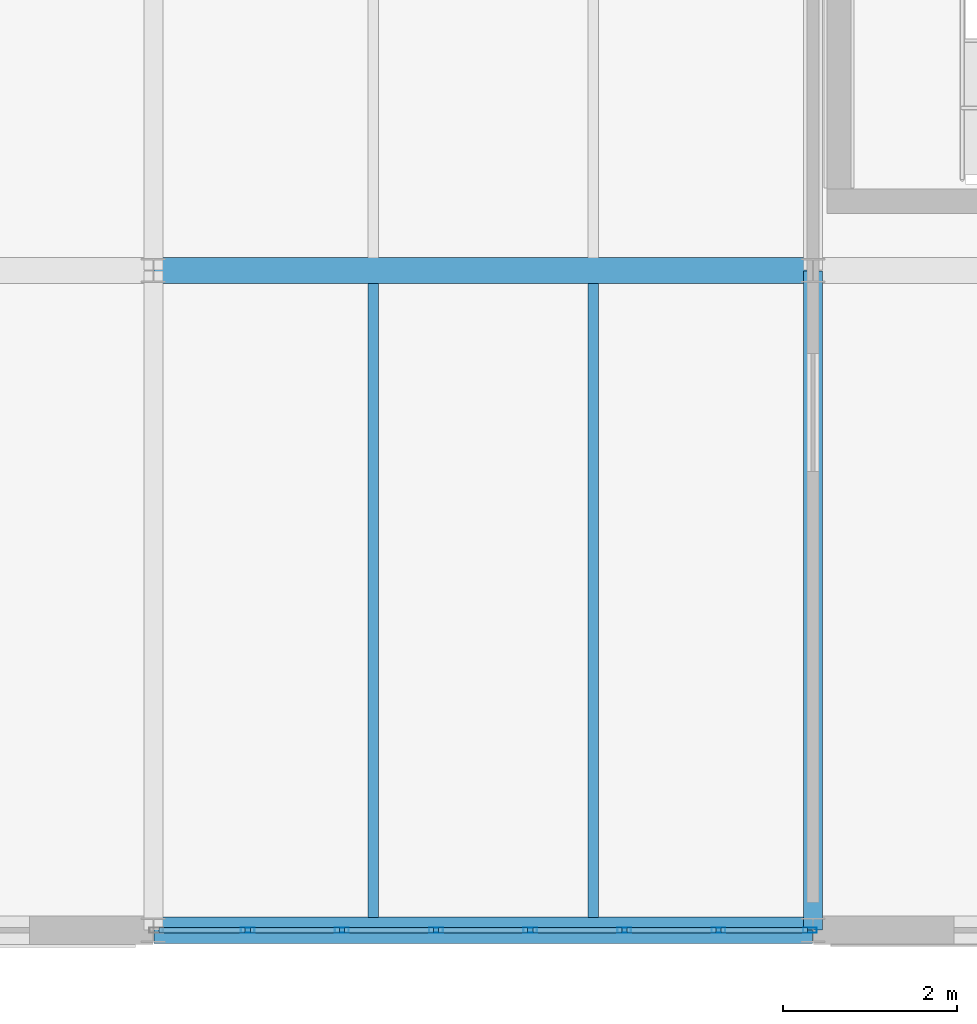
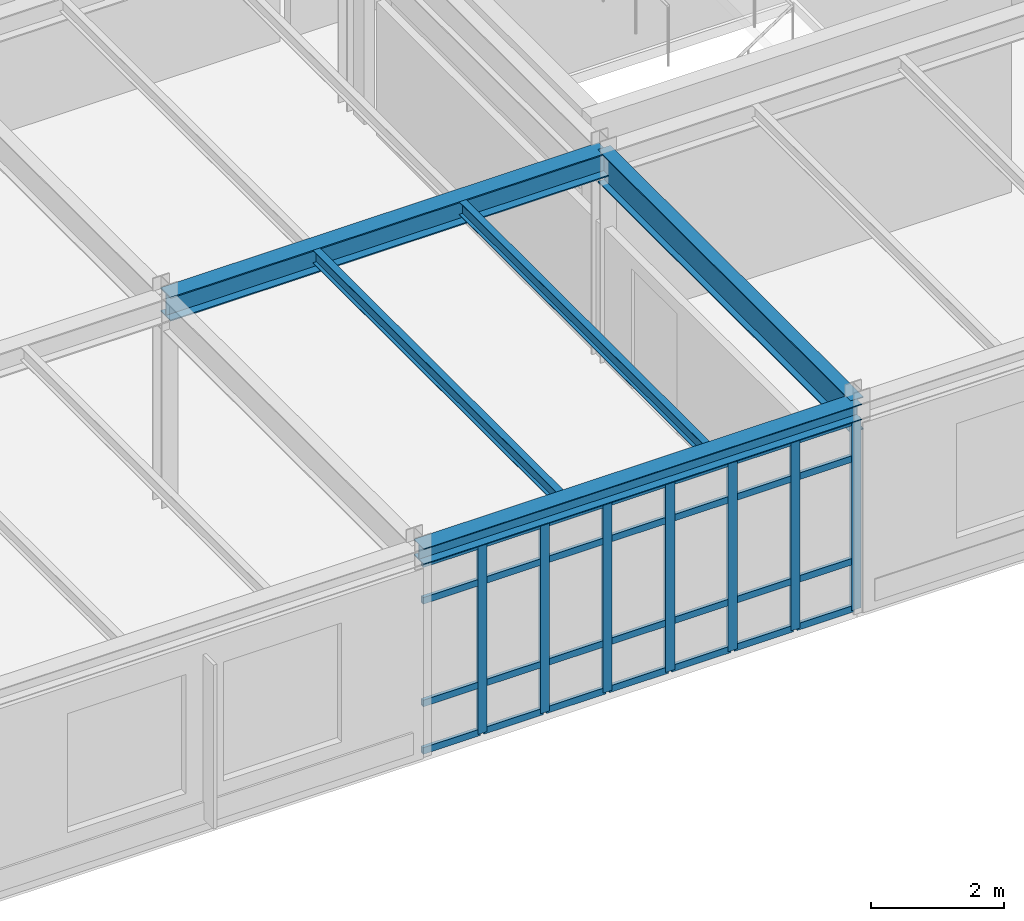
# One storey, part 28 of 165: 35 members, 5 beams, 1 element without a shape of its own.
"""IFC4 building model written with IfcOpenShell, lengths in metres."""

from ifc_helpers import new_model, si_unit, direction, frame, origin, origin_2d, place, context, subcontext, project, spatial, hollow_rectangle, i_section, extrude, material, layer, layer_set, material_profile, profile_set, type_object, element, aggregate, save


model = new_model("IFC4")

# Units and contexts
model_context = context("Model", 3, precision=1e-05, world=origin(), true_north=direction((0.0, 1.0)))
body_context = subcontext(model_context, "Body", "Model", "MODEL_VIEW")
ifc_project = project(units=[si_unit("LENGTHUNIT", "METRE"), si_unit("AREAUNIT", "SQUARE_METRE"), si_unit("VOLUMEUNIT", "CUBIC_METRE"), si_unit("PLANEANGLEUNIT", "RADIAN"), si_unit("MASSUNIT", "GRAM", prefix="KILO")], contexts=[model_context])

# Site, building, storey
site_placement = place(None, origin())
site = spatial("IfcSite", under=ifc_project, at=site_placement, CompositionType="ELEMENT")
building_placement = place(site_placement, origin())
building = spatial("IfcBuilding", under=site, at=building_placement, Name="Montecoro Central Library", CompositionType="ELEMENT")
storey_placement = place(building_placement, frame((0.0, 0.0, 5.10009765625)))
storey = spatial("IfcBuildingStorey", under=building, at=storey_placement, Name="L01", CompositionType="ELEMENT", Elevation=5.10009765625)

# Beams
ifc_material_1 = material(Name="Steel S355J2", Category="steel")
ifc_material_profile_1 = material_profile(ifc_material_1, i_section(OverallWidth=0.300048828125, OverallDepth=0.43994140625, WebThickness=0.011474609375, FlangeThickness=0.02099609375, at=origin_2d()), Name="HEA 450")
ifc_profile_set_1 = profile_set([ifc_material_profile_1], Name="Steel S355J2")
beam_type_1 = type_object("IfcBeamType", Name="BM-G-HEA450", PredefinedType="USERDEFINED", material=ifc_profile_set_1)
beam_1_placement = place(storey_placement, frame((20.205078125, 12.60009765625, 3.60498046875), z_axis=(1.0, 0.0, 0.0), x_axis=(0.0, 1.0, 0.0)))
element("IfcBeam", 1, at=beam_1_placement, inside=storey, type_object=beam_type_1, Name="V3-L01-BX-34-B", ObjectType="GIRDER", PredefinedType="USERDEFINED", context=body_context, shape_type="SweptSolid", body=[
    extrude(i_section(OverallWidth=0.300048828125, OverallDepth=0.43994140625, WebThickness=0.011474609375, FlangeThickness=0.02099609375, at=origin_2d()), origin(), (0.0, 0.0, 1.0), 7.58984375),
])
ifc_material_profile_2 = material_profile(ifc_material_1, i_section(OverallWidth=0.219970703125, OverallDepth=0.60009765625, WebThickness=0.011962890625, FlangeThickness=0.01904296875, at=origin_2d()), Name="IPE 600")
ifc_profile_set_2 = profile_set([ifc_material_profile_2], Name="Steel S355J2")
beam_type_2 = type_object("IfcBeamType", Name="BM-G-IPE600", PredefinedType="USERDEFINED", material=ifc_profile_set_2)
beam_2_placement = place(storey_placement, frame((27.800048828125, 5.0048828125, 3.52490234375), z_axis=(0.0, 1.0, 0.0), x_axis=(-1.0, 0.0, 0.0)))
element("IfcBeam", 2, at=beam_2_placement, inside=storey, type_object=beam_type_2, Name="V3-L01-BY-4-AB", ObjectType="GIRDER", PredefinedType="USERDEFINED", context=body_context, shape_type="SweptSolid", body=[
    extrude(i_section(OverallWidth=0.219970703125, OverallDepth=0.60009765625, WebThickness=0.011962890625, FlangeThickness=0.01904296875, at=origin_2d()), origin(), (0.0, 0.0, 1.0), 7.590087890625),
])
ifc_material_2 = material(Name="Steel S355", Category="steel")
ifc_material_profile_3 = material_profile(ifc_material_2, i_section(OverallWidth=0.1201171875, OverallDepth=0.239990234375, WebThickness=0.006103515625, FlangeThickness=0.009765625, at=origin_2d()), Name="IPE 240")
ifc_profile_set_3 = profile_set([ifc_material_profile_3], Name="Steel S355")
beam_type_3 = type_object("IfcBeamType", Name="BM-J-IPE240", PredefinedType="JOIST", material=ifc_profile_set_3)
for number, where, z_axis, x_axis, name in (
    (3, (22.73291015625, 5.14697265625, 3.704833984375), (0.0, 1.0, 0.0), (-1.0, 0.0, 0.0), "V3-L01-JS-34-AB-1"),
    (4, (25.26708984375, 5.14697265625, 3.704833984375), (0.0, 1.0, 0.0), (-1.0, 0.0, 0.0), "V3-L01-JS-34-AB-2"),
):
    element("IfcBeam", number, at=place(storey_placement, frame(where, z_axis=z_axis, x_axis=x_axis)), inside=storey, type_object=beam_type_3, Name=name, PredefinedType="JOIST", context=body_context, shape_type="SweptSolid", body=[
        extrude(i_section(OverallWidth=0.1201171875, OverallDepth=0.239990234375, WebThickness=0.006103515625, FlangeThickness=0.009765625, at=origin_2d()), origin(), (0.0, 0.0, 1.0), 7.305908203125),
    ])
ifc_material_profile_4 = material_profile(ifc_material_2, i_section(OverallWidth=0.300048828125, OverallDepth=0.2900390625, WebThickness=0.008544921875, FlangeThickness=0.013916015625, at=origin_2d()), Name="HEA 300")
ifc_profile_set_4 = profile_set([ifc_material_profile_4], Name="Steel S355")
beam_type_4 = type_object("IfcBeamType", Name="BM-SP-HEA300", PredefinedType="SPANDREL", material=ifc_profile_set_4)
beam_3_placement = place(storey_placement, frame((20.205078125, 5.0, 3.679931640625), z_axis=(1.0, 0.0, 0.0), x_axis=(0.0, 1.0, 0.0)))
element("IfcBeam", 5, at=beam_3_placement, inside=storey, type_object=beam_type_4, Name="V3-L01-BX-34-A", PredefinedType="SPANDREL", context=body_context, shape_type="SweptSolid", body=[
    extrude(i_section(OverallWidth=0.300048828125, OverallDepth=0.2900390625, WebThickness=0.008544921875, FlangeThickness=0.013916015625, at=origin_2d()), origin(), (0.0, 0.0, 1.0), 7.58984375),
])

# Curtain wall, members
ifc_material_3 = material(Name="Bronze-anodised aluminium and low-E glazing", Category="aluminium")
ifc_layer = layer(ifc_material_3, 0.159912109375)
ifc_layer_set = layer_set([ifc_layer], Name="Bronze-anodised aluminium and low-E glazing")
curtain_wall_type = type_object("IfcCurtainWallType", Name="CWT-029", PredefinedType="NOTDEFINED", material=ifc_layer_set)
curtain_wall_placement = place(storey_placement, origin())
curtain_wall = element("IfcCurtainWall", 6, at=curtain_wall_placement, inside=storey, type_object=curtain_wall_type, Name="V3-L01-CW-S2", PredefinedType="NOTDEFINED")
ifc_material_4 = material(Name="Bronze-anodised aluminium", Category="aluminium")
ifc_material_profile_5 = material_profile(ifc_material_4, hollow_rectangle(XDim=0.06005859375, YDim=0.159912109375, WallThickness=0.00390625, at=origin_2d()), Name="CWM 160x60x4.0")
ifc_profile_set_5 = profile_set([ifc_material_profile_5], Name="Bronze-anodised aluminium")
member_type_1 = type_object("IfcMemberType", Name="CWM-BRZ-60", PredefinedType="MULLION", material=ifc_profile_set_5)
member_1_placement = place(storey_placement, frame((21.28857421875, 5.0, 0.0), z_axis=(0.0, 0.0, 1.0), x_axis=(0.0, 1.0, 0.0)))
member_1 = element("IfcMember", 7, at=member_1_placement, type_object=member_type_1, Name="CW-029 mullion 2", PredefinedType="MULLION", context=body_context, shape_type="SweptSolid", body=[
    extrude(hollow_rectangle(XDim=0.06005859375, YDim=0.159912109375, WallThickness=0.00390625, at=origin_2d()), origin(), (0.0, 0.0, 1.0), 3.47998046875),
])
member_2_placement = place(storey_placement, frame((22.373046875, 5.0, 0.0), z_axis=(0.0, 0.0, 1.0), x_axis=(0.0, 1.0, 0.0)))
member_2 = element("IfcMember", 8, at=member_2_placement, type_object=member_type_1, Name="CW-029 mullion 3", PredefinedType="MULLION", context=body_context, shape_type="SweptSolid", body=[
    extrude(hollow_rectangle(XDim=0.06005859375, YDim=0.159912109375, WallThickness=0.00390625, at=origin_2d()), origin(), (0.0, 0.0, 1.0), 3.47998046875),
])
member_3_placement = place(storey_placement, frame((23.457763671875, 5.0, 0.0), z_axis=(0.0, 0.0, 1.0), x_axis=(0.0, 1.0, 0.0)))
member_3 = element("IfcMember", 9, at=member_3_placement, type_object=member_type_1, Name="CW-029 mullion 4", PredefinedType="MULLION", context=body_context, shape_type="SweptSolid", body=[
    extrude(hollow_rectangle(XDim=0.06005859375, YDim=0.159912109375, WallThickness=0.00390625, at=origin_2d()), origin(), (0.0, 0.0, 1.0), 3.47998046875),
])
member_4_placement = place(storey_placement, frame((24.542236328125, 5.0, 0.0), z_axis=(0.0, 0.0, 1.0), x_axis=(0.0, 1.0, 0.0)))
member_4 = element("IfcMember", 10, at=member_4_placement, type_object=member_type_1, Name="CW-029 mullion 5", PredefinedType="MULLION", context=body_context, shape_type="SweptSolid", body=[
    extrude(hollow_rectangle(XDim=0.06005859375, YDim=0.159912109375, WallThickness=0.00390625, at=origin_2d()), origin(), (0.0, 0.0, 1.0), 3.47998046875),
])
member_5_placement = place(storey_placement, frame((25.626953125, 5.0, 0.0), z_axis=(0.0, 0.0, 1.0), x_axis=(0.0, 1.0, 0.0)))
member_5 = element("IfcMember", 11, at=member_5_placement, type_object=member_type_1, Name="CW-029 mullion 6", PredefinedType="MULLION", context=body_context, shape_type="SweptSolid", body=[
    extrude(hollow_rectangle(XDim=0.06005859375, YDim=0.159912109375, WallThickness=0.00390625, at=origin_2d()), origin(), (0.0, 0.0, 1.0), 3.47998046875),
])
member_6_placement = place(storey_placement, frame((26.71142578125, 5.0, 0.0), z_axis=(0.0, 0.0, 1.0), x_axis=(0.0, 1.0, 0.0)))
member_6 = element("IfcMember", 12, at=member_6_placement, type_object=member_type_1, Name="CW-029 mullion 7", PredefinedType="MULLION", context=body_context, shape_type="SweptSolid", body=[
    extrude(hollow_rectangle(XDim=0.06005859375, YDim=0.159912109375, WallThickness=0.00390625, at=origin_2d()), origin(), (0.0, 0.0, 1.0), 3.47998046875),
])
member_7_placement = place(storey_placement, frame((27.76611328125, 5.0, 0.0), z_axis=(0.0, 0.0, 1.0), x_axis=(0.0, 1.0, 0.0)))
member_7 = element("IfcMember", 13, at=member_7_placement, type_object=member_type_1, Name="CW-029 mullion 8", PredefinedType="MULLION", context=body_context, shape_type="SweptSolid", body=[
    extrude(hollow_rectangle(XDim=0.06005859375, YDim=0.159912109375, WallThickness=0.00390625, at=origin_2d()), origin(), (0.0, 0.0, 1.0), 3.47998046875),
])
ifc_material_profile_6 = material_profile(ifc_material_4, hollow_rectangle(XDim=0.06005859375, YDim=0.1201171875, WallThickness=0.00390625, at=origin_2d()), Name="CWT 120x60x4.0")
ifc_profile_set_6 = profile_set([ifc_material_profile_6], Name="Bronze-anodised aluminium")
member_type_2 = type_object("IfcMemberType", Name="CWT-BRZ-60", PredefinedType="USERDEFINED", material=ifc_profile_set_6)
member_8_placement = place(storey_placement, frame((20.263916015625, 5.0, 0.02978515625), z_axis=(1.0, 0.0, 0.0), x_axis=(0.0, 1.0, 0.0)))
member_8 = element("IfcMember", 14, at=member_8_placement, type_object=member_type_2, Name="CW-029 transom 1.1", ObjectType="TRANSOM", PredefinedType="USERDEFINED", context=body_context, shape_type="SweptSolid", body=[
    extrude(hollow_rectangle(XDim=0.06005859375, YDim=0.1201171875, WallThickness=0.00390625, at=origin_2d()), origin(), (0.0, 0.0, 1.0), 0.99462890625),
])
member_9_placement = place(storey_placement, frame((20.263916015625, 5.0, 0.89990234375), z_axis=(1.0, 0.0, 0.0), x_axis=(0.0, 1.0, 0.0)))
member_9 = element("IfcMember", 15, at=member_9_placement, type_object=member_type_2, Name="CW-029 transom 1.2", ObjectType="TRANSOM", PredefinedType="USERDEFINED", context=body_context, shape_type="SweptSolid", body=[
    extrude(hollow_rectangle(XDim=0.06005859375, YDim=0.1201171875, WallThickness=0.00390625, at=origin_2d()), origin(), (0.0, 0.0, 1.0), 0.99462890625),
])
member_10_placement = place(storey_placement, frame((20.263916015625, 5.0, 2.77978515625), z_axis=(1.0, 0.0, 0.0), x_axis=(0.0, 1.0, 0.0)))
member_10 = element("IfcMember", 16, at=member_10_placement, type_object=member_type_2, Name="CW-029 transom 1.3", ObjectType="TRANSOM", PredefinedType="USERDEFINED", context=body_context, shape_type="SweptSolid", body=[
    extrude(hollow_rectangle(XDim=0.06005859375, YDim=0.1201171875, WallThickness=0.00390625, at=origin_2d()), origin(), (0.0, 0.0, 1.0), 0.99462890625),
])
member_11_placement = place(storey_placement, frame((20.263916015625, 5.0, 3.449951171875), z_axis=(1.0, 0.0, 0.0), x_axis=(0.0, 1.0, 0.0)))
member_11 = element("IfcMember", 17, at=member_11_placement, type_object=member_type_2, Name="CW-029 transom 1.4", ObjectType="TRANSOM", PredefinedType="USERDEFINED", context=body_context, shape_type="SweptSolid", body=[
    extrude(hollow_rectangle(XDim=0.06005859375, YDim=0.1201171875, WallThickness=0.00390625, at=origin_2d()), origin(), (0.0, 0.0, 1.0), 0.99462890625),
])
member_12_placement = place(storey_placement, frame((21.318603515625, 5.0, 0.02978515625), z_axis=(1.0, 0.0, 0.0), x_axis=(0.0, 1.0, 0.0)))
member_12 = element("IfcMember", 18, at=member_12_placement, type_object=member_type_2, Name="CW-029 transom 2.1", ObjectType="TRANSOM", PredefinedType="USERDEFINED", context=body_context, shape_type="SweptSolid", body=[
    extrude(hollow_rectangle(XDim=0.06005859375, YDim=0.1201171875, WallThickness=0.00390625, at=origin_2d()), origin(), (0.0, 0.0, 1.0), 1.024658203125),
])
member_13_placement = place(storey_placement, frame((21.318603515625, 5.0, 0.89990234375), z_axis=(1.0, 0.0, 0.0), x_axis=(0.0, 1.0, 0.0)))
member_13 = element("IfcMember", 19, at=member_13_placement, type_object=member_type_2, Name="CW-029 transom 2.2", ObjectType="TRANSOM", PredefinedType="USERDEFINED", context=body_context, shape_type="SweptSolid", body=[
    extrude(hollow_rectangle(XDim=0.06005859375, YDim=0.1201171875, WallThickness=0.00390625, at=origin_2d()), origin(), (0.0, 0.0, 1.0), 1.024658203125),
])
member_14_placement = place(storey_placement, frame((21.318603515625, 5.0, 2.77978515625), z_axis=(1.0, 0.0, 0.0), x_axis=(0.0, 1.0, 0.0)))
member_14 = element("IfcMember", 20, at=member_14_placement, type_object=member_type_2, Name="CW-029 transom 2.3", ObjectType="TRANSOM", PredefinedType="USERDEFINED", context=body_context, shape_type="SweptSolid", body=[
    extrude(hollow_rectangle(XDim=0.06005859375, YDim=0.1201171875, WallThickness=0.00390625, at=origin_2d()), origin(), (0.0, 0.0, 1.0), 1.024658203125),
])
member_15_placement = place(storey_placement, frame((21.318603515625, 5.0, 3.449951171875), z_axis=(1.0, 0.0, 0.0), x_axis=(0.0, 1.0, 0.0)))
member_15 = element("IfcMember", 21, at=member_15_placement, type_object=member_type_2, Name="CW-029 transom 2.4", ObjectType="TRANSOM", PredefinedType="USERDEFINED", context=body_context, shape_type="SweptSolid", body=[
    extrude(hollow_rectangle(XDim=0.06005859375, YDim=0.1201171875, WallThickness=0.00390625, at=origin_2d()), origin(), (0.0, 0.0, 1.0), 1.024658203125),
])
member_16_placement = place(storey_placement, frame((22.403076171875, 5.0, 0.02978515625), z_axis=(1.0, 0.0, 0.0), x_axis=(0.0, 1.0, 0.0)))
member_16 = element("IfcMember", 22, at=member_16_placement, type_object=member_type_2, Name="CW-029 transom 3.1", ObjectType="TRANSOM", PredefinedType="USERDEFINED", context=body_context, shape_type="SweptSolid", body=[
    extrude(hollow_rectangle(XDim=0.06005859375, YDim=0.1201171875, WallThickness=0.00390625, at=origin_2d()), origin(), (0.0, 0.0, 1.0), 1.024658203125),
])
member_17_placement = place(storey_placement, frame((22.403076171875, 5.0, 0.89990234375), z_axis=(1.0, 0.0, 0.0), x_axis=(0.0, 1.0, 0.0)))
member_17 = element("IfcMember", 23, at=member_17_placement, type_object=member_type_2, Name="CW-029 transom 3.2", ObjectType="TRANSOM", PredefinedType="USERDEFINED", context=body_context, shape_type="SweptSolid", body=[
    extrude(hollow_rectangle(XDim=0.06005859375, YDim=0.1201171875, WallThickness=0.00390625, at=origin_2d()), origin(), (0.0, 0.0, 1.0), 1.024658203125),
])
member_18_placement = place(storey_placement, frame((22.403076171875, 5.0, 2.77978515625), z_axis=(1.0, 0.0, 0.0), x_axis=(0.0, 1.0, 0.0)))
member_18 = element("IfcMember", 24, at=member_18_placement, type_object=member_type_2, Name="CW-029 transom 3.3", ObjectType="TRANSOM", PredefinedType="USERDEFINED", context=body_context, shape_type="SweptSolid", body=[
    extrude(hollow_rectangle(XDim=0.06005859375, YDim=0.1201171875, WallThickness=0.00390625, at=origin_2d()), origin(), (0.0, 0.0, 1.0), 1.024658203125),
])
member_19_placement = place(storey_placement, frame((22.403076171875, 5.0, 3.449951171875), z_axis=(1.0, 0.0, 0.0), x_axis=(0.0, 1.0, 0.0)))
member_19 = element("IfcMember", 25, at=member_19_placement, type_object=member_type_2, Name="CW-029 transom 3.4", ObjectType="TRANSOM", PredefinedType="USERDEFINED", context=body_context, shape_type="SweptSolid", body=[
    extrude(hollow_rectangle(XDim=0.06005859375, YDim=0.1201171875, WallThickness=0.00390625, at=origin_2d()), origin(), (0.0, 0.0, 1.0), 1.024658203125),
])
member_20_placement = place(storey_placement, frame((23.48779296875, 5.0, 0.02978515625), z_axis=(1.0, 0.0, 0.0), x_axis=(0.0, 1.0, 0.0)))
member_20 = element("IfcMember", 26, at=member_20_placement, type_object=member_type_2, Name="CW-029 transom 4.1", ObjectType="TRANSOM", PredefinedType="USERDEFINED", context=body_context, shape_type="SweptSolid", body=[
    extrude(hollow_rectangle(XDim=0.06005859375, YDim=0.1201171875, WallThickness=0.00390625, at=origin_2d()), origin(), (0.0, 0.0, 1.0), 1.0244140625),
])
member_21_placement = place(storey_placement, frame((23.48779296875, 5.0, 0.89990234375), z_axis=(1.0, 0.0, 0.0), x_axis=(0.0, 1.0, 0.0)))
member_21 = element("IfcMember", 27, at=member_21_placement, type_object=member_type_2, Name="CW-029 transom 4.2", ObjectType="TRANSOM", PredefinedType="USERDEFINED", context=body_context, shape_type="SweptSolid", body=[
    extrude(hollow_rectangle(XDim=0.06005859375, YDim=0.1201171875, WallThickness=0.00390625, at=origin_2d()), origin(), (0.0, 0.0, 1.0), 1.0244140625),
])
member_22_placement = place(storey_placement, frame((23.48779296875, 5.0, 2.77978515625), z_axis=(1.0, 0.0, 0.0), x_axis=(0.0, 1.0, 0.0)))
member_22 = element("IfcMember", 28, at=member_22_placement, type_object=member_type_2, Name="CW-029 transom 4.3", ObjectType="TRANSOM", PredefinedType="USERDEFINED", context=body_context, shape_type="SweptSolid", body=[
    extrude(hollow_rectangle(XDim=0.06005859375, YDim=0.1201171875, WallThickness=0.00390625, at=origin_2d()), origin(), (0.0, 0.0, 1.0), 1.0244140625),
])
member_23_placement = place(storey_placement, frame((23.48779296875, 5.0, 3.449951171875), z_axis=(1.0, 0.0, 0.0), x_axis=(0.0, 1.0, 0.0)))
member_23 = element("IfcMember", 29, at=member_23_placement, type_object=member_type_2, Name="CW-029 transom 4.4", ObjectType="TRANSOM", PredefinedType="USERDEFINED", context=body_context, shape_type="SweptSolid", body=[
    extrude(hollow_rectangle(XDim=0.06005859375, YDim=0.1201171875, WallThickness=0.00390625, at=origin_2d()), origin(), (0.0, 0.0, 1.0), 1.0244140625),
])
member_24_placement = place(storey_placement, frame((24.572265625, 5.0, 0.02978515625), z_axis=(1.0, 0.0, 0.0), x_axis=(0.0, 1.0, 0.0)))
member_24 = element("IfcMember", 30, at=member_24_placement, type_object=member_type_2, Name="CW-029 transom 5.1", ObjectType="TRANSOM", PredefinedType="USERDEFINED", context=body_context, shape_type="SweptSolid", body=[
    extrude(hollow_rectangle(XDim=0.06005859375, YDim=0.1201171875, WallThickness=0.00390625, at=origin_2d()), origin(), (0.0, 0.0, 1.0), 1.024658203125),
])
member_25_placement = place(storey_placement, frame((24.572265625, 5.0, 0.89990234375), z_axis=(1.0, 0.0, 0.0), x_axis=(0.0, 1.0, 0.0)))
member_25 = element("IfcMember", 31, at=member_25_placement, type_object=member_type_2, Name="CW-029 transom 5.2", ObjectType="TRANSOM", PredefinedType="USERDEFINED", context=body_context, shape_type="SweptSolid", body=[
    extrude(hollow_rectangle(XDim=0.06005859375, YDim=0.1201171875, WallThickness=0.00390625, at=origin_2d()), origin(), (0.0, 0.0, 1.0), 1.024658203125),
])
member_26_placement = place(storey_placement, frame((24.572265625, 5.0, 2.77978515625), z_axis=(1.0, 0.0, 0.0), x_axis=(0.0, 1.0, 0.0)))
member_26 = element("IfcMember", 32, at=member_26_placement, type_object=member_type_2, Name="CW-029 transom 5.3", ObjectType="TRANSOM", PredefinedType="USERDEFINED", context=body_context, shape_type="SweptSolid", body=[
    extrude(hollow_rectangle(XDim=0.06005859375, YDim=0.1201171875, WallThickness=0.00390625, at=origin_2d()), origin(), (0.0, 0.0, 1.0), 1.024658203125),
])
member_27_placement = place(storey_placement, frame((24.572265625, 5.0, 3.449951171875), z_axis=(1.0, 0.0, 0.0), x_axis=(0.0, 1.0, 0.0)))
member_27 = element("IfcMember", 33, at=member_27_placement, type_object=member_type_2, Name="CW-029 transom 5.4", ObjectType="TRANSOM", PredefinedType="USERDEFINED", context=body_context, shape_type="SweptSolid", body=[
    extrude(hollow_rectangle(XDim=0.06005859375, YDim=0.1201171875, WallThickness=0.00390625, at=origin_2d()), origin(), (0.0, 0.0, 1.0), 1.024658203125),
])
member_28_placement = place(storey_placement, frame((25.65673828125, 5.0, 0.02978515625), z_axis=(1.0, 0.0, 0.0), x_axis=(0.0, 1.0, 0.0)))
member_28 = element("IfcMember", 34, at=member_28_placement, type_object=member_type_2, Name="CW-029 transom 6.1", ObjectType="TRANSOM", PredefinedType="USERDEFINED", context=body_context, shape_type="SweptSolid", body=[
    extrude(hollow_rectangle(XDim=0.06005859375, YDim=0.1201171875, WallThickness=0.00390625, at=origin_2d()), origin(), (0.0, 0.0, 1.0), 1.024658203125),
])
member_29_placement = place(storey_placement, frame((25.65673828125, 5.0, 0.89990234375), z_axis=(1.0, 0.0, 0.0), x_axis=(0.0, 1.0, 0.0)))
member_29 = element("IfcMember", 35, at=member_29_placement, type_object=member_type_2, Name="CW-029 transom 6.2", ObjectType="TRANSOM", PredefinedType="USERDEFINED", context=body_context, shape_type="SweptSolid", body=[
    extrude(hollow_rectangle(XDim=0.06005859375, YDim=0.1201171875, WallThickness=0.00390625, at=origin_2d()), origin(), (0.0, 0.0, 1.0), 1.024658203125),
])
member_30_placement = place(storey_placement, frame((25.65673828125, 5.0, 2.77978515625), z_axis=(1.0, 0.0, 0.0), x_axis=(0.0, 1.0, 0.0)))
member_30 = element("IfcMember", 36, at=member_30_placement, type_object=member_type_2, Name="CW-029 transom 6.3", ObjectType="TRANSOM", PredefinedType="USERDEFINED", context=body_context, shape_type="SweptSolid", body=[
    extrude(hollow_rectangle(XDim=0.06005859375, YDim=0.1201171875, WallThickness=0.00390625, at=origin_2d()), origin(), (0.0, 0.0, 1.0), 1.024658203125),
])
member_31_placement = place(storey_placement, frame((25.65673828125, 5.0, 3.449951171875), z_axis=(1.0, 0.0, 0.0), x_axis=(0.0, 1.0, 0.0)))
member_31 = element("IfcMember", 37, at=member_31_placement, type_object=member_type_2, Name="CW-029 transom 6.4", ObjectType="TRANSOM", PredefinedType="USERDEFINED", context=body_context, shape_type="SweptSolid", body=[
    extrude(hollow_rectangle(XDim=0.06005859375, YDim=0.1201171875, WallThickness=0.00390625, at=origin_2d()), origin(), (0.0, 0.0, 1.0), 1.024658203125),
])
member_32_placement = place(storey_placement, frame((26.741455078125, 5.0, 0.02978515625), z_axis=(1.0, 0.0, 0.0), x_axis=(0.0, 1.0, 0.0)))
member_32 = element("IfcMember", 38, at=member_32_placement, type_object=member_type_2, Name="CW-029 transom 7.1", ObjectType="TRANSOM", PredefinedType="USERDEFINED", context=body_context, shape_type="SweptSolid", body=[
    extrude(hollow_rectangle(XDim=0.06005859375, YDim=0.1201171875, WallThickness=0.00390625, at=origin_2d()), origin(), (0.0, 0.0, 1.0), 0.99462890625),
])
member_33_placement = place(storey_placement, frame((26.741455078125, 5.0, 0.89990234375), z_axis=(1.0, 0.0, 0.0), x_axis=(0.0, 1.0, 0.0)))
member_33 = element("IfcMember", 39, at=member_33_placement, type_object=member_type_2, Name="CW-029 transom 7.2", ObjectType="TRANSOM", PredefinedType="USERDEFINED", context=body_context, shape_type="SweptSolid", body=[
    extrude(hollow_rectangle(XDim=0.06005859375, YDim=0.1201171875, WallThickness=0.00390625, at=origin_2d()), origin(), (0.0, 0.0, 1.0), 0.99462890625),
])
member_34_placement = place(storey_placement, frame((26.741455078125, 5.0, 2.77978515625), z_axis=(1.0, 0.0, 0.0), x_axis=(0.0, 1.0, 0.0)))
member_34 = element("IfcMember", 40, at=member_34_placement, type_object=member_type_2, Name="CW-029 transom 7.3", ObjectType="TRANSOM", PredefinedType="USERDEFINED", context=body_context, shape_type="SweptSolid", body=[
    extrude(hollow_rectangle(XDim=0.06005859375, YDim=0.1201171875, WallThickness=0.00390625, at=origin_2d()), origin(), (0.0, 0.0, 1.0), 0.99462890625),
])
member_35_placement = place(storey_placement, frame((26.741455078125, 5.0, 3.449951171875), z_axis=(1.0, 0.0, 0.0), x_axis=(0.0, 1.0, 0.0)))
member_35 = element("IfcMember", 41, at=member_35_placement, type_object=member_type_2, Name="CW-029 transom 7.4", ObjectType="TRANSOM", PredefinedType="USERDEFINED", context=body_context, shape_type="SweptSolid", body=[
    extrude(hollow_rectangle(XDim=0.06005859375, YDim=0.1201171875, WallThickness=0.00390625, at=origin_2d()), origin(), (0.0, 0.0, 1.0), 0.99462890625),
])
aggregate(curtain_wall, [member_1, member_2, member_3, member_4, member_5, member_6, member_7, member_8, member_9, member_10, member_11, member_12, member_13, member_14, member_15, member_16, member_17, member_18, member_19, member_20, member_21, member_22, member_23, member_24, member_25, member_26, member_27, member_28, member_29, member_30, member_31, member_32, member_33, member_34, member_35])

save(model, "model.ifc")
